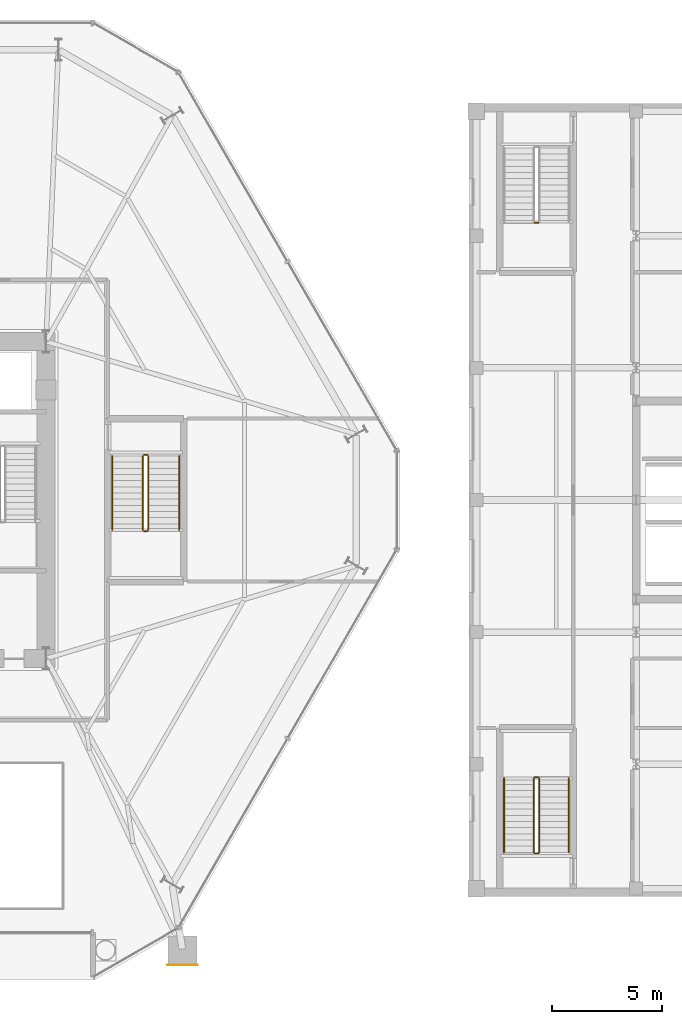
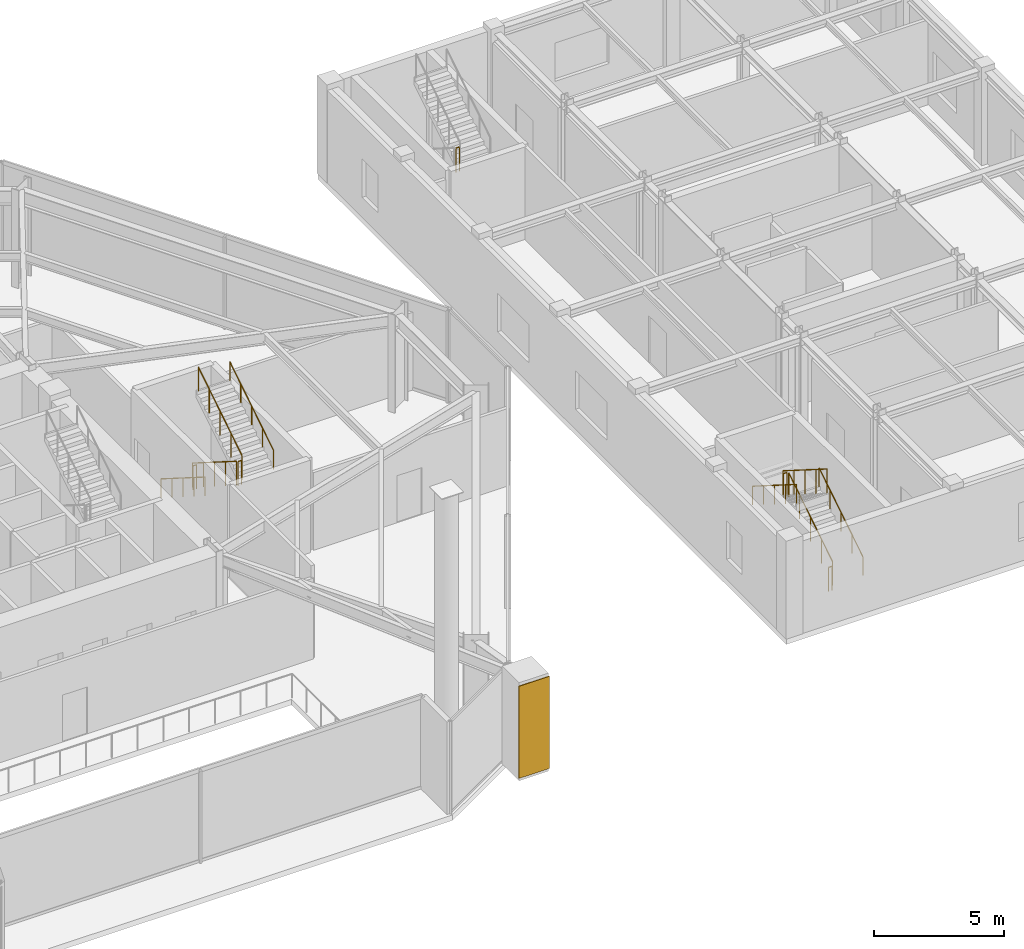
# One storey, part 21 of 22: 13 railings, 1 covering.
"""IFC4 building model written with IfcOpenShell, lengths in metres."""

from ifc_helpers import new_model, si_unit, direction, frame, origin, origin_2d, place, context, subcontext, project, spatial, rectangle, circle, extrude, material, layer, layer_set, type_object, element, save


model = new_model("IFC4")

# Units and contexts
model_context = context("Model", 3, precision=1e-05, world=origin(), true_north=direction((0.0, 1.0)))
body_context = subcontext(model_context, "Body", "Model", "MODEL_VIEW")
ifc_project = project(units=[si_unit("LENGTHUNIT", "METRE"), si_unit("AREAUNIT", "SQUARE_METRE"), si_unit("VOLUMEUNIT", "CUBIC_METRE"), si_unit("PLANEANGLEUNIT", "RADIAN"), si_unit("MASSUNIT", "GRAM", prefix="KILO")], contexts=[model_context])

# Site, building, storey
site_placement = place(None, origin())
site = spatial("IfcSite", under=ifc_project, at=site_placement, CompositionType="ELEMENT")
building_placement = place(site_placement, origin())
building = spatial("IfcBuilding", under=site, at=building_placement, Name="Kranzbogen Civic Tower", CompositionType="ELEMENT")
storey_placement = place(building_placement, frame((0.0, 0.0, 5.199951171875)))
storey = spatial("IfcBuildingStorey", under=building, at=storey_placement, Name="L01", CompositionType="ELEMENT", Elevation=5.199951171875)

# Railings
ifc_material_1 = material(Name="Steel S355", Category="steel")
railing_type_1 = type_object("IfcRailingType", Name="Internal Stair and Void Steel Guardrail 1150", PredefinedType="GUARDRAIL", material=ifc_material_1)
railing_1_placement = place(storey_placement, frame((37.199951171875, 27.0, 0.177001953125)))
element("IfcRailing", 1, at=railing_1_placement, inside=storey, type_object=railing_type_1, Name="L01 ST-P2 stair guard 1", PredefinedType="GUARDRAIL", context=body_context, shape_type="SweptSolid", body=[
    extrude(circle(Radius=0.02392578125, at=origin_2d()), frame((0.0, 0.0, 1.1259765625), z_axis=(0.0, -0.845389635667, 0.534150132366), x_axis=(1.0, 0.0, 0.0)), (0.0, 0.0, 1.0), 3.974609375),
    extrude(circle(Radius=0.02099609375, at=origin_2d()), origin(), (0.0, 0.0, 1.0), 1.101806640625),
    extrude(circle(Radius=0.02099609375, at=origin_2d()), frame((0.0, -0.840087890625, 0.53076171875)), (0.0, 0.0, 1.0), 1.101806640625),
    extrude(circle(Radius=0.02099609375, at=origin_2d()), frame((0.0, -1.68017578125, 1.0615234375)), (0.0, 0.0, 1.0), 1.101806640625),
    extrude(circle(Radius=0.02099609375, at=origin_2d()), frame((0.0, -2.52001953125, 1.59228515625)), (0.0, 0.0, 1.0), 1.101806640625),
    extrude(circle(Radius=0.02099609375, at=origin_2d()), frame((0.0, -3.360107421875, 2.123046875)), (0.0, 0.0, 1.0), 1.101806640625),
])
railing_2_placement = place(storey_placement, frame((37.25, 23.590087890625, 2.300048828125)))
element("IfcRailing", 2, at=railing_2_placement, inside=storey, type_object=railing_type_1, Name="L01 ST-P2 stair guard 2", PredefinedType="GUARDRAIL", context=body_context, shape_type="SweptSolid", body=[
    extrude(circle(Radius=0.02392578125, at=origin_2d()), frame((0.0, 0.0, 1.1259765625), z_axis=(1.0, 0.0, 0.0), x_axis=(0.0, 1.0, 0.0)), (0.0, 0.0, 1.0), 0.14990234375),
    extrude(circle(Radius=0.02099609375, at=origin_2d()), origin(), (0.0, 0.0, 1.0), 1.101806640625),
    extrude(circle(Radius=0.02099609375, at=origin_2d()), frame((0.14990234375, 0.0, 0.0)), (0.0, 0.0, 1.0), 1.101806640625),
])
railing_3_placement = place(storey_placement, frame((37.449951171875, 23.639892578125, 2.47705078125)))
element("IfcRailing", 3, at=railing_3_placement, inside=storey, type_object=railing_type_1, Name="L01 ST-P2 stair guard 3", PredefinedType="GUARDRAIL", context=body_context, shape_type="SweptSolid", body=[
    extrude(circle(Radius=0.02392578125, at=origin_2d()), frame((0.0, 0.0, 1.1259765625), z_axis=(0.0, 0.845389635667, 0.534150132366), x_axis=(-1.0, 0.0, 0.0)), (0.0, 0.0, 1.0), 3.974609375),
    extrude(circle(Radius=0.02099609375, at=origin_2d()), origin(), (0.0, 0.0, 1.0), 1.101806640625),
    extrude(circle(Radius=0.02099609375, at=origin_2d()), frame((0.0, 0.840087890625, 0.53076171875)), (0.0, 0.0, 1.0), 1.101806640625),
    extrude(circle(Radius=0.02099609375, at=origin_2d()), frame((0.0, 1.68017578125, 1.0615234375)), (0.0, 0.0, 1.0), 1.101806640625),
    extrude(circle(Radius=0.02099609375, at=origin_2d()), frame((0.0, 2.52001953125, 1.59228515625)), (0.0, 0.0, 1.0), 1.101806640625),
    extrude(circle(Radius=0.02099609375, at=origin_2d()), frame((0.0, 3.360107421875, 2.123046875)), (0.0, 0.0, 1.0), 1.101806640625),
])
railing_4_placement = place(storey_placement, frame((37.25, 27.050048828125, 0.0)))
element("IfcRailing", 4, at=railing_4_placement, inside=storey, type_object=railing_type_1, Name="L01 ST-P2 stair guard 4", PredefinedType="GUARDRAIL", context=body_context, shape_type="SweptSolid", body=[
    extrude(circle(Radius=0.02392578125, at=origin_2d()), frame((0.0, 0.0, 1.1259765625), z_axis=(1.0, 0.0, 0.0), x_axis=(0.0, 1.0, 0.0)), (0.0, 0.0, 1.0), 0.14990234375),
    extrude(circle(Radius=0.02099609375, at=origin_2d()), origin(), (0.0, 0.0, 1.0), 1.101806640625),
    extrude(circle(Radius=0.02099609375, at=origin_2d()), frame((0.14990234375, 0.0, 0.0)), (0.0, 0.0, 1.0), 1.101806640625),
])
railing_5_placement = place(storey_placement, frame((55.199951171875, 9.0, 0.177001953125)))
element("IfcRailing", 5, at=railing_5_placement, inside=storey, type_object=railing_type_1, Name="L01 ST-H1 stair guard 1", PredefinedType="GUARDRAIL", context=body_context, shape_type="SweptSolid", body=[
    extrude(circle(Radius=0.02392578125, at=origin_2d()), frame((0.0, 0.0, 1.1259765625), z_axis=(0.0, 0.845389635667, 0.534150132366), x_axis=(-1.0, 0.0, 0.0)), (0.0, 0.0, 1.0), 3.974609375),
    extrude(circle(Radius=0.02099609375, at=origin_2d()), origin(), (0.0, 0.0, 1.0), 1.101806640625),
    extrude(circle(Radius=0.02099609375, at=origin_2d()), frame((0.0, 0.840087890625, 0.53076171875)), (0.0, 0.0, 1.0), 1.101806640625),
    extrude(circle(Radius=0.02099609375, at=origin_2d()), frame((0.0, 1.68017578125, 1.0615234375)), (0.0, 0.0, 1.0), 1.101806640625),
    extrude(circle(Radius=0.02099609375, at=origin_2d()), frame((0.0, 2.52001953125, 1.59228515625)), (0.0, 0.0, 1.0), 1.101806640625),
    extrude(circle(Radius=0.02099609375, at=origin_2d()), frame((0.0, 3.360107421875, 2.123046875)), (0.0, 0.0, 1.0), 1.101806640625),
])
railing_6_placement = place(storey_placement, frame((55.14990234375, 12.409912109375, 2.300048828125)))
element("IfcRailing", 6, at=railing_6_placement, inside=storey, type_object=railing_type_1, Name="L01 ST-H1 stair guard 2", PredefinedType="GUARDRAIL", context=body_context, shape_type="SweptSolid", body=[
    extrude(circle(Radius=0.02392578125, at=origin_2d()), frame((0.0, 0.0, 1.1259765625), z_axis=(-1.0, 0.0, 0.0), x_axis=(0.0, -1.0, 0.0)), (0.0, 0.0, 1.0), 0.14990234375),
    extrude(circle(Radius=0.02099609375, at=origin_2d()), origin(), (0.0, 0.0, 1.0), 1.101806640625),
    extrude(circle(Radius=0.02099609375, at=origin_2d()), frame((-0.14990234375, 0.0, 0.0)), (0.0, 0.0, 1.0), 1.101806640625),
])
railing_7_placement = place(storey_placement, frame((54.949951171875, 12.360107421875, 2.47705078125)))
element("IfcRailing", 7, at=railing_7_placement, inside=storey, type_object=railing_type_1, Name="L01 ST-H1 stair guard 3", PredefinedType="GUARDRAIL", context=body_context, shape_type="SweptSolid", body=[
    extrude(circle(Radius=0.02392578125, at=origin_2d()), frame((0.0, 0.0, 1.1259765625), z_axis=(0.0, -0.845389635667, 0.534150132366), x_axis=(1.0, 0.0, 0.0)), (0.0, 0.0, 1.0), 3.974609375),
    extrude(circle(Radius=0.02099609375, at=origin_2d()), origin(), (0.0, 0.0, 1.0), 1.101806640625),
    extrude(circle(Radius=0.02099609375, at=origin_2d()), frame((0.0, -0.840087890625, 0.53076171875)), (0.0, 0.0, 1.0), 1.101806640625),
    extrude(circle(Radius=0.02099609375, at=origin_2d()), frame((0.0, -1.68017578125, 1.0615234375)), (0.0, 0.0, 1.0), 1.101806640625),
    extrude(circle(Radius=0.02099609375, at=origin_2d()), frame((0.0, -2.52001953125, 1.59228515625)), (0.0, 0.0, 1.0), 1.101806640625),
    extrude(circle(Radius=0.02099609375, at=origin_2d()), frame((0.0, -3.360107421875, 2.123046875)), (0.0, 0.0, 1.0), 1.101806640625),
])
railing_8_placement = place(storey_placement, frame((55.14990234375, 8.949951171875, 0.0)))
element("IfcRailing", 8, at=railing_8_placement, inside=storey, type_object=railing_type_1, Name="L01 ST-H1 stair guard 4", PredefinedType="GUARDRAIL", context=body_context, shape_type="SweptSolid", body=[
    extrude(circle(Radius=0.02392578125, at=origin_2d()), frame((0.0, 0.0, 1.1259765625), z_axis=(-1.0, 0.0, 0.0), x_axis=(0.0, -1.0, 0.0)), (0.0, 0.0, 1.0), 0.14990234375),
    extrude(circle(Radius=0.02099609375, at=origin_2d()), origin(), (0.0, 0.0, 1.0), 1.101806640625),
    extrude(circle(Radius=0.02099609375, at=origin_2d()), frame((-0.14990234375, 0.0, 0.0)), (0.0, 0.0, 1.0), 1.101806640625),
])
railing_9_placement = place(storey_placement, frame((55.0, 37.590087890625, 2.300048828125)))
element("IfcRailing", 9, at=railing_9_placement, inside=storey, type_object=railing_type_1, Name="L01 ST-H2 stair guard 2", PredefinedType="GUARDRAIL", context=body_context, shape_type="SweptSolid", body=[
    extrude(circle(Radius=0.02392578125, at=origin_2d()), frame((0.0, 0.0, 1.1259765625), z_axis=(1.0, 0.0, 0.0), x_axis=(0.0, 1.0, 0.0)), (0.0, 0.0, 1.0), 0.14990234375),
    extrude(circle(Radius=0.02099609375, at=origin_2d()), origin(), (0.0, 0.0, 1.0), 1.101806640625),
    extrude(circle(Radius=0.02099609375, at=origin_2d()), frame((0.14990234375, 0.0, 0.0)), (0.0, 0.0, 1.0), 1.101806640625),
])

# Covering
ifc_material_2 = material(Name="Anodised Bronze Aluminium", Category="aluminium")
ifc_layer = layer(ifc_material_2, 0.034912109375, Name="Anodised Bronze Aluminium")
ifc_layer_set = layer_set([ifc_layer], Name="Anodised Bronze Aluminium")
covering_type = type_object("IfcCoveringType", Name="Portal Arch Pier Anodised Metal Cladding 35 mm", PredefinedType="CLADDING", material=ifc_layer_set)
covering_placement = place(storey_placement, frame((39.0, 3.882080078125, 0.14013671875), z_axis=(0.0, 0.0, 1.0), x_axis=(1.0, 0.0, 0.0)))
element("IfcCovering", 10, at=covering_placement, inside=storey, type_object=covering_type, Name="L01 portal arch pier 2 cladding", PredefinedType="CLADDING", context=body_context, shape_type="SweptSolid", body=[
    extrude(rectangle(XDim=1.3701171875, YDim=0.034912109375, at=origin_2d()), origin(), (0.0, 0.0, 1.0), 4.320068359375),
])

# Railings
ifc_material_3 = material(Name="Pale Anodised Aluminium", Category="aluminium")
railing_type_2 = type_object("IfcRailingType", Name="Tubular Stainless Stair Wall Handrail 900", PredefinedType="HANDRAIL", material=ifc_material_3)
railing_10_placement = place(storey_placement, frame((35.800048828125, 27.0, 0.177001953125)))
element("IfcRailing", 11, at=railing_10_placement, inside=storey, type_object=railing_type_2, Name="L01 ST-P2 stair handrail 1", PredefinedType="HANDRAIL", context=body_context, shape_type="SweptSolid", body=[
    extrude(circle(Radius=0.02392578125, at=origin_2d()), frame((0.0, 0.0, 0.8759765625), z_axis=(0.0, -0.845389635667, 0.534150132366), x_axis=(1.0, 0.0, 0.0)), (0.0, 0.0, 1.0), 3.974609375),
    extrude(circle(Radius=0.02099609375, at=origin_2d()), origin(), (0.0, 0.0, 1.0), 0.851806640625),
    extrude(circle(Radius=0.02099609375, at=origin_2d()), frame((0.0, -0.840087890625, 0.53076171875)), (0.0, 0.0, 1.0), 0.851806640625),
    extrude(circle(Radius=0.02099609375, at=origin_2d()), frame((0.0, -1.68017578125, 1.0615234375)), (0.0, 0.0, 1.0), 0.851806640625),
    extrude(circle(Radius=0.02099609375, at=origin_2d()), frame((0.0, -2.52001953125, 1.59228515625)), (0.0, 0.0, 1.0), 0.851806640625),
    extrude(circle(Radius=0.02099609375, at=origin_2d()), frame((0.0, -3.360107421875, 2.123046875)), (0.0, 0.0, 1.0), 0.851806640625),
])
for number, where, name in (
    (12, (38.85009765625, 23.639892578125, 2.47705078125), "L01 ST-P2 stair handrail 2"),
    (13, (56.550048828125, 9.0, 0.177001953125), "L01 ST-H1 stair handrail 1"),
):
    element("IfcRailing", number, at=place(storey_placement, frame(where)), inside=storey, type_object=railing_type_2, Name=name, PredefinedType="HANDRAIL", context=body_context, shape_type="SweptSolid", body=[
        extrude(circle(Radius=0.02392578125, at=origin_2d()), frame((0.0, 0.0, 0.8759765625), z_axis=(0.0, 0.845389635667, 0.534150132366), x_axis=(-1.0, 0.0, 0.0)), (0.0, 0.0, 1.0), 3.974609375),
        extrude(circle(Radius=0.02099609375, at=origin_2d()), origin(), (0.0, 0.0, 1.0), 0.851806640625),
        extrude(circle(Radius=0.02099609375, at=origin_2d()), frame((0.0, 0.840087890625, 0.53076171875)), (0.0, 0.0, 1.0), 0.851806640625),
        extrude(circle(Radius=0.02099609375, at=origin_2d()), frame((0.0, 1.68017578125, 1.0615234375)), (0.0, 0.0, 1.0), 0.851806640625),
        extrude(circle(Radius=0.02099609375, at=origin_2d()), frame((0.0, 2.52001953125, 1.59228515625)), (0.0, 0.0, 1.0), 0.851806640625),
        extrude(circle(Radius=0.02099609375, at=origin_2d()), frame((0.0, 3.360107421875, 2.123046875)), (0.0, 0.0, 1.0), 0.851806640625),
    ])
railing_11_placement = place(storey_placement, frame((53.60009765625, 12.360107421875, 2.47705078125)))
element("IfcRailing", 14, at=railing_11_placement, inside=storey, type_object=railing_type_2, Name="L01 ST-H1 stair handrail 2", PredefinedType="HANDRAIL", context=body_context, shape_type="SweptSolid", body=[
    extrude(circle(Radius=0.02392578125, at=origin_2d()), frame((0.0, 0.0, 0.8759765625), z_axis=(0.0, -0.845389635667, 0.534150132366), x_axis=(1.0, 0.0, 0.0)), (0.0, 0.0, 1.0), 3.974609375),
    extrude(circle(Radius=0.02099609375, at=origin_2d()), origin(), (0.0, 0.0, 1.0), 0.851806640625),
    extrude(circle(Radius=0.02099609375, at=origin_2d()), frame((0.0, -0.840087890625, 0.53076171875)), (0.0, 0.0, 1.0), 0.851806640625),
    extrude(circle(Radius=0.02099609375, at=origin_2d()), frame((0.0, -1.68017578125, 1.0615234375)), (0.0, 0.0, 1.0), 0.851806640625),
    extrude(circle(Radius=0.02099609375, at=origin_2d()), frame((0.0, -2.52001953125, 1.59228515625)), (0.0, 0.0, 1.0), 0.851806640625),
    extrude(circle(Radius=0.02099609375, at=origin_2d()), frame((0.0, -3.360107421875, 2.123046875)), (0.0, 0.0, 1.0), 0.851806640625),
])

save(model, "model.ifc")
